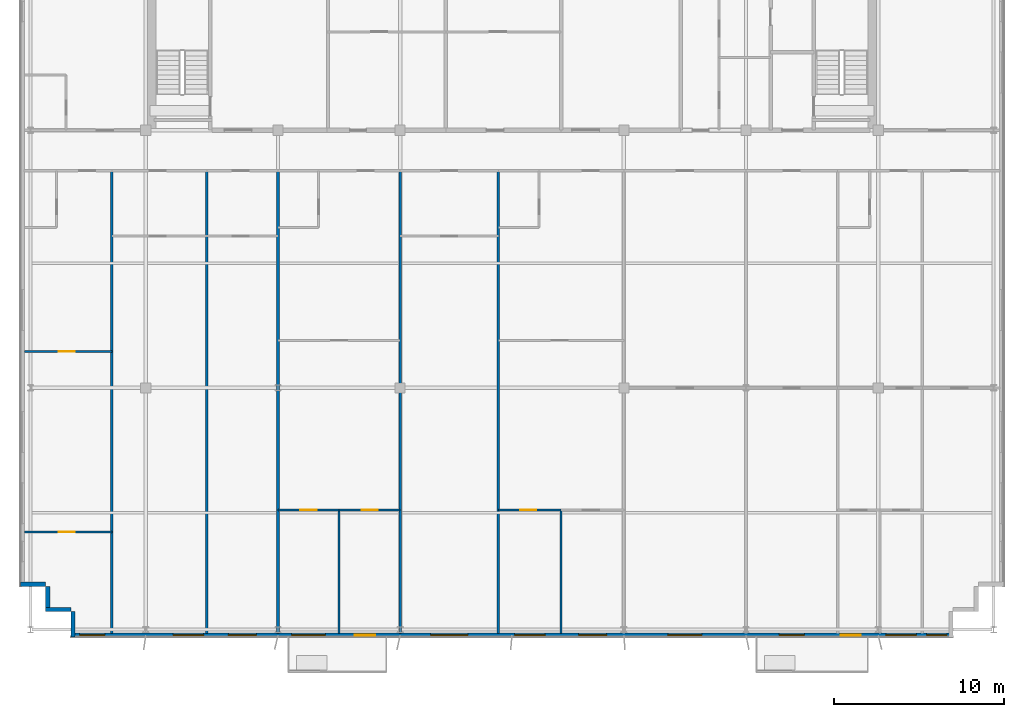
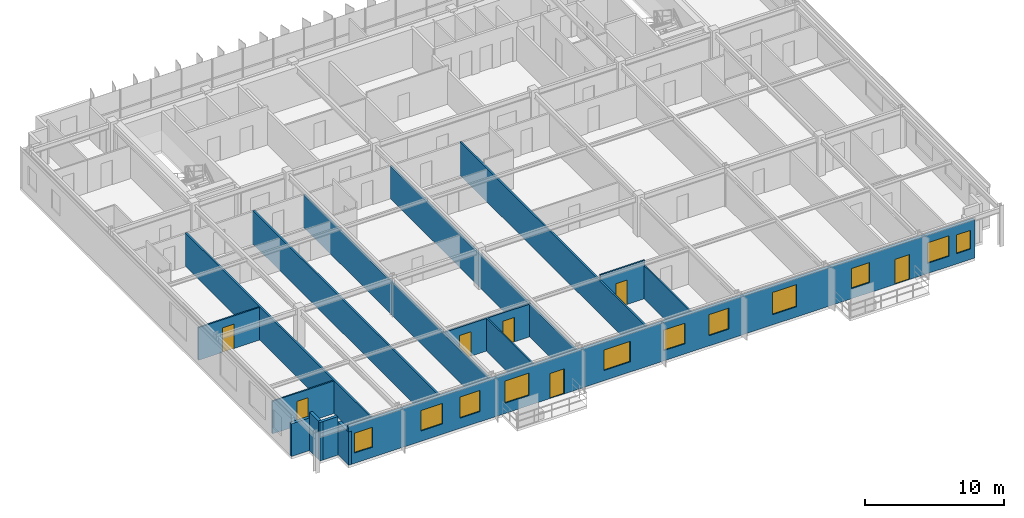
# One storey, part 16 of 23: 17 walls, 11 windows, 7 doors, 18 openings.
"""IFC4 building model written with IfcOpenShell, lengths in metres."""

from ifc_helpers import new_model, si_unit, direction, frame, frame_2d, origin, place, context, subcontext, project, spatial, rectangle, extrude, source, transform, mapped, material, layer, layer_set, type_object, element, fill, save


model = new_model("IFC4")

# Units and contexts
model_context = context("Model", 3, precision=1e-05, world=origin(), true_north=direction((0.0, 1.0)))
body_context = subcontext(model_context, "Body", "Model", "MODEL_VIEW")
ifc_project = project(units=[si_unit("LENGTHUNIT", "METRE"), si_unit("AREAUNIT", "SQUARE_METRE"), si_unit("VOLUMEUNIT", "CUBIC_METRE"), si_unit("PLANEANGLEUNIT", "RADIAN"), si_unit("MASSUNIT", "GRAM", prefix="KILO")], contexts=[model_context])

# Site, building, storey
site_placement = place(None, origin())
site = spatial("IfcSite", under=ifc_project, at=site_placement, CompositionType="ELEMENT")
building_placement = place(site_placement, origin())
building = spatial("IfcBuilding", under=site, at=building_placement, Name="Trelvane Seafront Commons", CompositionType="ELEMENT")
storey_placement = place(building_placement, frame((0.0, 0.0, 266.699951171875)))
storey = spatial("IfcBuildingStorey", under=building, at=storey_placement, Name="L69", CompositionType="ELEMENT", Elevation=266.699951171875)

# Walls
ifc_material_1 = material(Name="Precast concrete C40/50", Category="concrete")
ifc_layer_1 = layer(ifc_material_1, 0.239990234375, Name="ARCH-WALL-EXT240")
ifc_layer_set_1 = layer_set([ifc_layer_1], Name="Precast concrete C40/50")
wall_type_1 = type_object("IfcWallType", Name="ARCH-WALL-EXT240", PredefinedType="SOLIDWALL", material=ifc_layer_set_1)
for number, where, z_axis, x_axis, name in (
    (1, (11.199951171875, 5.1201171875, 0.0), (0.0, 0.0, 1.0), (-1.0, 0.0, 0.0), "EW-L69-01384"),
    (2, (9.820068359375, 5.0, 0.0), (0.0, 0.0, 1.0), (0.0, 1.0, 0.0), "EW-L69-01385"),
):
    element("IfcWall", number, at=place(storey_placement, frame(where, z_axis=z_axis, x_axis=x_axis)), inside=storey, type_object=wall_type_1, Name=name, PredefinedType="SOLIDWALL", context=body_context, shape_type="SweptSolid", body=[
        extrude(rectangle(XDim=1.5, YDim=0.239990234375, at=frame_2d((0.75, 0.0))), origin(), (0.0, 0.0, 1.0), 3.3701171875),
    ])
wall_1_placement = place(storey_placement, frame((9.699951171875, 6.6201171875, 0.0), z_axis=(0.0, 0.0, 1.0), x_axis=(-1.0, 0.0, 0.0)))
element("IfcWall", 3, at=wall_1_placement, inside=storey, type_object=wall_type_1, Name="EW-L69-01386", PredefinedType="SOLIDWALL", context=body_context, shape_type="SweptSolid", body=[
    extrude(rectangle(XDim=1.5, YDim=0.239990234375, at=frame_2d((0.75, 0.0))), origin(), (0.0, 0.0, 1.0), 2.8701171875),
])

# Wall, openings, windows, doors
wall_2_placement = place(storey_placement, frame((63.199951171875, 3.6201171875, 0.0), z_axis=(0.0, 0.0, 1.0), x_axis=(-1.0, 0.0, 0.0)))
wall_2 = element("IfcWall", 4, at=wall_2_placement, inside=storey, type_object=wall_type_1, Name="EW-L69-01401", PredefinedType="SOLIDWALL", context=body_context, shape_type="SweptSolid", body=[
    extrude(rectangle(XDim=52.0, YDim=0.239990234375, at=frame_2d((26.0, 0.0))), origin(), (0.0, 0.0, 1.0), 3.3701171875),
])
opening_1_placement = place(wall_2_placement, frame((0.344970703125, 0.0, 0.89990234375)))
opening_1 = element("IfcOpeningElement", 5, at=opening_1_placement, cuts=wall_2, Name="Opening W05", PredefinedType="OPENING", context=body_context, shape_type="SweptSolid", body=[
    extrude(rectangle(XDim=1.199951171875, YDim=1.64990234375, at=frame_2d((0.60009765625, 0.824951171875))), frame((0.0, 0.1298828125, 0.0), z_axis=(0.0, -1.0, 0.0), x_axis=(1.0, 0.0, 0.0)), (0.0, 0.0, 1.0), 0.260009765625),
])
opening_2_placement = place(wall_2_placement, frame((2.14990234375, 0.0, 0.89990234375)))
opening_2 = element("IfcOpeningElement", 6, at=opening_2_placement, cuts=wall_2, Name="Opening W01", PredefinedType="OPENING", context=body_context, shape_type="SweptSolid", body=[
    extrude(rectangle(XDim=1.800048828125, YDim=1.800048828125, at=frame_2d((0.89990234375, 0.89990234375))), frame((0.0, 0.1298828125, 0.0), z_axis=(0.0, -1.0, 0.0), x_axis=(1.0, 0.0, 0.0)), (0.0, 0.0, 1.0), 0.260009765625),
])
opening_3_placement = place(wall_2_placement, frame((5.419921875, 0.0, 0.0)))
opening_3 = element("IfcOpeningElement", 7, at=opening_3_placement, cuts=wall_2, Name="Opening BD-L69-140", PredefinedType="OPENING", context=body_context, shape_type="SweptSolid", body=[
    extrude(rectangle(XDim=1.199951171875, YDim=2.199951171875, at=frame_2d((0.60009765625, 1.10009765625))), frame((0.0, 0.1298828125, 0.0), z_axis=(0.0, -1.0, 0.0), x_axis=(1.0, 0.0, 0.0)), (0.0, 0.0, 1.0), 0.260009765625),
])
opening_4_placement = place(wall_2_placement, frame((8.75, 0.0, 0.89990234375)))
opening_4 = element("IfcOpeningElement", 8, at=opening_4_placement, cuts=wall_2, Name="Opening W03", PredefinedType="OPENING", context=body_context, shape_type="SweptSolid", body=[
    extrude(rectangle(XDim=1.5, YDim=1.75, at=frame_2d((0.75, 0.875))), frame((0.0, 0.1298828125, 0.0), z_axis=(0.0, -1.0, 0.0), x_axis=(1.0, 0.0, 0.0)), (0.0, 0.0, 1.0), 0.260009765625),
])
opening_5_placement = place(wall_2_placement, frame((14.800048828125, 0.0, 0.89990234375)))
opening_5 = element("IfcOpeningElement", 9, at=opening_5_placement, cuts=wall_2, Name="Opening W06", PredefinedType="OPENING", context=body_context, shape_type="SweptSolid", body=[
    extrude(rectangle(XDim=2.0, YDim=1.949951171875, at=frame_2d((1.0, 0.97509765625))), frame((0.0, 0.1298828125, 0.0), z_axis=(0.0, -1.0, 0.0), x_axis=(1.0, 0.0, 0.0)), (0.0, 0.0, 1.0), 0.260009765625),
])
opening_6_placement = place(wall_2_placement, frame((20.425048828125, 0.0, 0.89990234375)))
opening_6 = element("IfcOpeningElement", 10, at=opening_6_placement, cuts=wall_2, Name="Opening W07", PredefinedType="OPENING", context=body_context, shape_type="SweptSolid", body=[
    extrude(rectangle(XDim=1.64990234375, YDim=1.85009765625, at=frame_2d((0.824951171875, 0.925048828125))), frame((0.0, 0.1298828125, 0.0), z_axis=(0.0, -1.0, 0.0), x_axis=(1.0, 0.0, 0.0)), (0.0, 0.0, 1.0), 0.260009765625),
])
opening_7_placement = place(wall_2_placement, frame((24.050048828125, 0.0, 0.89990234375)))
opening_7 = element("IfcOpeningElement", 11, at=opening_7_placement, cuts=wall_2, Name="Opening W01", PredefinedType="OPENING", context=body_context, shape_type="SweptSolid", body=[
    extrude(rectangle(XDim=1.800048828125, YDim=1.800048828125, at=frame_2d((0.89990234375, 0.89990234375))), frame((0.0, 0.1298828125, 0.0), z_axis=(0.0, -1.0, 0.0), x_axis=(1.0, 0.0, 0.0)), (0.0, 0.0, 1.0), 0.260009765625),
])
opening_8_placement = place(wall_2_placement, frame((28.60009765625, 0.0, 0.89990234375)))
opening_8 = element("IfcOpeningElement", 12, at=opening_8_placement, cuts=wall_2, Name="Opening W02", PredefinedType="OPENING", context=body_context, shape_type="SweptSolid", body=[
    extrude(rectangle(XDim=2.199951171875, YDim=1.800048828125, at=frame_2d((1.10009765625, 0.89990234375))), frame((0.0, 0.1298828125, 0.0), z_axis=(0.0, -1.0, 0.0), x_axis=(1.0, 0.0, 0.0)), (0.0, 0.0, 1.0), 0.260009765625),
])
opening_9_placement = place(wall_2_placement, frame((34.077880859375, 0.0, 0.0)))
opening_9 = element("IfcOpeningElement", 13, at=opening_9_placement, cuts=wall_2, Name="Opening BD-L69-141", PredefinedType="OPENING", context=body_context, shape_type="SweptSolid", body=[
    extrude(rectangle(XDim=1.199951171875, YDim=2.199951171875, at=frame_2d((0.60009765625, 1.10009765625))), frame((0.0, 0.1298828125, 0.0), z_axis=(0.0, -1.0, 0.0), x_axis=(1.0, 0.0, 0.0)), (0.0, 0.0, 1.0), 0.260009765625),
])
opening_10_placement = place(wall_2_placement, frame((37.0, 0.0, 0.89990234375)))
opening_10 = element("IfcOpeningElement", 14, at=opening_10_placement, cuts=wall_2, Name="Opening W06", PredefinedType="OPENING", context=body_context, shape_type="SweptSolid", body=[
    extrude(rectangle(XDim=2.0, YDim=1.949951171875, at=frame_2d((1.0, 0.97509765625))), frame((0.0, 0.1298828125, 0.0), z_axis=(0.0, -1.0, 0.0), x_axis=(1.0, 0.0, 0.0)), (0.0, 0.0, 1.0), 0.260009765625),
])
opening_11_placement = place(wall_2_placement, frame((41.074951171875, 0.0, 0.89990234375)))
opening_11 = element("IfcOpeningElement", 15, at=opening_11_placement, cuts=wall_2, Name="Opening W07", PredefinedType="OPENING", context=body_context, shape_type="SweptSolid", body=[
    extrude(rectangle(XDim=1.64990234375, YDim=1.85009765625, at=frame_2d((0.824951171875, 0.925048828125))), frame((0.0, 0.1298828125, 0.0), z_axis=(0.0, -1.0, 0.0), x_axis=(1.0, 0.0, 0.0)), (0.0, 0.0, 1.0), 0.260009765625),
])
opening_12_placement = place(wall_2_placement, frame((44.18994140625, 0.0, 0.89990234375)))
opening_12 = element("IfcOpeningElement", 16, at=opening_12_placement, cuts=wall_2, Name="Opening W01", PredefinedType="OPENING", context=body_context, shape_type="SweptSolid", body=[
    extrude(rectangle(XDim=1.800048828125, YDim=1.800048828125, at=frame_2d((0.89990234375, 0.89990234375))), frame((0.0, 0.1298828125, 0.0), z_axis=(0.0, -1.0, 0.0), x_axis=(1.0, 0.0, 0.0)), (0.0, 0.0, 1.0), 0.260009765625),
])
opening_13_placement = place(wall_2_placement, frame((50.0048828125, 0.0, 0.89990234375)))
opening_13 = element("IfcOpeningElement", 17, at=opening_13_placement, cuts=wall_2, Name="Opening W03", PredefinedType="OPENING", context=body_context, shape_type="SweptSolid", body=[
    extrude(rectangle(XDim=1.5, YDim=1.75, at=frame_2d((0.75, 0.875))), frame((0.0, 0.1298828125, 0.0), z_axis=(0.0, -1.0, 0.0), x_axis=(1.0, 0.0, 0.0)), (0.0, 0.0, 1.0), 0.260009765625),
])
ifc_material_2 = material(Name="Low-E coastal double glazing", Category="glass")
window_type_1 = type_object("IfcWindowType", Name="ARCH-WIN-W05", PartitioningType="SINGLE_PANEL", PredefinedType="WINDOW", material=ifc_material_2)
shared_shape_1 = source(origin(), body_context, "Body", "SweptSolid", [
    extrude(rectangle(XDim=1.199951171875, YDim=1.64990234375, at=frame_2d((0.60009765625, 0.824951171875))), frame((0.0, 0.030029296875, 0.0), z_axis=(0.0, -1.0, 0.0), x_axis=(1.0, 0.0, 0.0)), (0.0, 0.0, 1.0), 0.06005859375),
])
window_1_placement = place(opening_1_placement, origin())
window_1 = element("IfcWindow", 18, at=window_1_placement, inside=storey, type_object=window_type_1, Name="WIN-L69-01661", OverallHeight=1.64990234375, OverallWidth=1.199951171875, PartitioningType="SINGLE_PANEL", PredefinedType="WINDOW", context=body_context, shape_type="MappedRepresentation", body=[
    mapped(shared_shape_1, transform((0.0, 0.0, 0.0), x_axis=(1.0, 0.0, 0.0), y_axis=(0.0, 1.0, 0.0), z_axis=(0.0, 0.0, 1.0), scale=1.0)),
])
fill(opening_1, window_1)
ifc_material_3 = material(Name="Powder-coated aluminium frame", Category="aluminium")
door_type_1 = type_object("IfcDoorType", Name="ARCH-DR-BAL1200", OperationType="NOTDEFINED", PredefinedType="DOOR", material=ifc_material_3)
shared_shape_2 = source(origin(), body_context, "Body", "SweptSolid", [
    extrude(rectangle(XDim=1.199951171875, YDim=2.199951171875, at=frame_2d((0.60009765625, 1.10009765625))), frame((0.0, 0.02490234375, 0.0), z_axis=(0.0, -1.0, 0.0), x_axis=(1.0, 0.0, 0.0)), (0.0, 0.0, 1.0), 0.050048828125),
])
door_1_placement = place(opening_3_placement, origin())
door_1 = element("IfcDoor", 19, at=door_1_placement, inside=storey, type_object=door_type_1, Name="L69 Balcony Terrace Access Door", OperationType="SINGLE_SWING_LEFT", OverallHeight=2.199951171875, OverallWidth=1.199951171875, PredefinedType="DOOR", context=body_context, shape_type="MappedRepresentation", body=[
    mapped(shared_shape_2, transform((0.0, 0.0, 0.0), x_axis=(1.0, 0.0, 0.0), y_axis=(0.0, 1.0, 0.0), z_axis=(0.0, 0.0, 1.0), scale=1.0)),
])
fill(opening_3, door_1)
door_2_placement = place(opening_9_placement, origin())
door_2 = element("IfcDoor", 20, at=door_2_placement, inside=storey, type_object=door_type_1, Name="L69 Balcony Terrace Access Door", OperationType="SINGLE_SWING_LEFT", OverallHeight=2.199951171875, OverallWidth=1.199951171875, PredefinedType="DOOR", context=body_context, shape_type="MappedRepresentation", body=[
    mapped(shared_shape_2, transform((0.0, 0.0, 0.0), x_axis=(1.0, 0.0, 0.0), y_axis=(0.0, 1.0, 0.0), z_axis=(0.0, 0.0, 1.0), scale=1.0)),
])
fill(opening_9, door_2)
window_type_2 = type_object("IfcWindowType", Name="ARCH-WIN-W02", PartitioningType="SINGLE_PANEL", PredefinedType="WINDOW", material=ifc_material_2)
shared_shape_3 = source(origin(), body_context, "Body", "SweptSolid", [
    extrude(rectangle(XDim=2.199951171875, YDim=1.800048828125, at=frame_2d((1.10009765625, 0.89990234375))), frame((0.0, 0.030029296875, 0.0), z_axis=(0.0, -1.0, 0.0), x_axis=(1.0, 0.0, 0.0)), (0.0, 0.0, 1.0), 0.06005859375),
])
window_2_placement = place(opening_8_placement, origin())
window_2 = element("IfcWindow", 21, at=window_2_placement, inside=storey, type_object=window_type_2, Name="WIN-L69-01667", OverallHeight=1.800048828125, OverallWidth=2.199951171875, PartitioningType="SINGLE_PANEL", PredefinedType="WINDOW", context=body_context, shape_type="MappedRepresentation", body=[
    mapped(shared_shape_3, transform((0.0, 0.0, 0.0), x_axis=(1.0, 0.0, 0.0), y_axis=(0.0, 1.0, 0.0), z_axis=(0.0, 0.0, 1.0), scale=1.0)),
])
fill(opening_8, window_2)
window_type_3 = type_object("IfcWindowType", Name="ARCH-WIN-W03", PartitioningType="SINGLE_PANEL", PredefinedType="WINDOW", material=ifc_material_2)
shared_shape_4 = source(origin(), body_context, "Body", "SweptSolid", [
    extrude(rectangle(XDim=1.5, YDim=1.75, at=frame_2d((0.75, 0.875))), frame((0.0, 0.030029296875, 0.0), z_axis=(0.0, -1.0, 0.0), x_axis=(1.0, 0.0, 0.0)), (0.0, 0.0, 1.0), 0.06005859375),
])
window_3_placement = place(opening_4_placement, origin())
window_3 = element("IfcWindow", 22, at=window_3_placement, inside=storey, type_object=window_type_3, Name="WIN-L69-01663", OverallHeight=1.75, OverallWidth=1.5, PartitioningType="SINGLE_PANEL", PredefinedType="WINDOW", context=body_context, shape_type="MappedRepresentation", body=[
    mapped(shared_shape_4, transform((0.0, 0.0, 0.0), x_axis=(1.0, 0.0, 0.0), y_axis=(0.0, 1.0, 0.0), z_axis=(0.0, 0.0, 1.0), scale=1.0)),
])
fill(opening_4, window_3)
window_4_placement = place(opening_13_placement, origin())
window_4 = element("IfcWindow", 23, at=window_4_placement, inside=storey, type_object=window_type_3, Name="WIN-L69-01671", OverallHeight=1.75, OverallWidth=1.5, PartitioningType="SINGLE_PANEL", PredefinedType="WINDOW", context=body_context, shape_type="MappedRepresentation", body=[
    mapped(shared_shape_4, transform((0.0, 0.0, 0.0), x_axis=(1.0, 0.0, 0.0), y_axis=(0.0, 1.0, 0.0), z_axis=(0.0, 0.0, 1.0), scale=1.0)),
])
fill(opening_13, window_4)
window_type_4 = type_object("IfcWindowType", Name="ARCH-WIN-W06", PartitioningType="SINGLE_PANEL", PredefinedType="WINDOW", material=ifc_material_2)
shared_shape_5 = source(origin(), body_context, "Body", "SweptSolid", [
    extrude(rectangle(XDim=2.0, YDim=1.949951171875, at=frame_2d((1.0, 0.97509765625))), frame((0.0, 0.030029296875, 0.0), z_axis=(0.0, -1.0, 0.0), x_axis=(1.0, 0.0, 0.0)), (0.0, 0.0, 1.0), 0.06005859375),
])
window_5_placement = place(opening_5_placement, origin())
window_5 = element("IfcWindow", 24, at=window_5_placement, inside=storey, type_object=window_type_4, Name="WIN-L69-01664", OverallHeight=1.949951171875, OverallWidth=2.0, PartitioningType="SINGLE_PANEL", PredefinedType="WINDOW", context=body_context, shape_type="MappedRepresentation", body=[
    mapped(shared_shape_5, transform((0.0, 0.0, 0.0), x_axis=(1.0, 0.0, 0.0), y_axis=(0.0, 1.0, 0.0), z_axis=(0.0, 0.0, 1.0), scale=1.0)),
])
fill(opening_5, window_5)
window_6_placement = place(opening_10_placement, origin())
window_6 = element("IfcWindow", 25, at=window_6_placement, inside=storey, type_object=window_type_4, Name="WIN-L69-01668", OverallHeight=1.949951171875, OverallWidth=2.0, PartitioningType="SINGLE_PANEL", PredefinedType="WINDOW", context=body_context, shape_type="MappedRepresentation", body=[
    mapped(shared_shape_5, transform((0.0, 0.0, 0.0), x_axis=(1.0, 0.0, 0.0), y_axis=(0.0, 1.0, 0.0), z_axis=(0.0, 0.0, 1.0), scale=1.0)),
])
fill(opening_10, window_6)
window_type_5 = type_object("IfcWindowType", Name="ARCH-WIN-W01", PartitioningType="SINGLE_PANEL", PredefinedType="WINDOW", material=ifc_material_2)
shared_shape_6 = source(origin(), body_context, "Body", "SweptSolid", [
    extrude(rectangle(XDim=1.800048828125, YDim=1.800048828125, at=frame_2d((0.89990234375, 0.89990234375))), frame((0.0, 0.030029296875, 0.0), z_axis=(0.0, -1.0, 0.0), x_axis=(1.0, 0.0, 0.0)), (0.0, 0.0, 1.0), 0.06005859375),
])
window_7_placement = place(opening_2_placement, origin())
window_7 = element("IfcWindow", 26, at=window_7_placement, inside=storey, type_object=window_type_5, Name="WIN-L69-01662", OverallHeight=1.800048828125, OverallWidth=1.800048828125, PartitioningType="SINGLE_PANEL", PredefinedType="WINDOW", context=body_context, shape_type="MappedRepresentation", body=[
    mapped(shared_shape_6, transform((0.0, 0.0, 0.0), x_axis=(1.0, 0.0, 0.0), y_axis=(0.0, 1.0, 0.0), z_axis=(0.0, 0.0, 1.0), scale=1.0)),
])
fill(opening_2, window_7)
window_8_placement = place(opening_7_placement, origin())
window_8 = element("IfcWindow", 27, at=window_8_placement, inside=storey, type_object=window_type_5, Name="WIN-L69-01666", OverallHeight=1.800048828125, OverallWidth=1.800048828125, PartitioningType="SINGLE_PANEL", PredefinedType="WINDOW", context=body_context, shape_type="MappedRepresentation", body=[
    mapped(shared_shape_6, transform((0.0, 0.0, 0.0), x_axis=(1.0, 0.0, 0.0), y_axis=(0.0, 1.0, 0.0), z_axis=(0.0, 0.0, 1.0), scale=1.0)),
])
fill(opening_7, window_8)
window_9_placement = place(opening_12_placement, origin())
window_9 = element("IfcWindow", 28, at=window_9_placement, inside=storey, type_object=window_type_5, Name="WIN-L69-01670", OverallHeight=1.800048828125, OverallWidth=1.800048828125, PartitioningType="SINGLE_PANEL", PredefinedType="WINDOW", context=body_context, shape_type="MappedRepresentation", body=[
    mapped(shared_shape_6, transform((0.0, 0.0, 0.0), x_axis=(1.0, 0.0, 0.0), y_axis=(0.0, 1.0, 0.0), z_axis=(0.0, 0.0, 1.0), scale=1.0)),
])
fill(opening_12, window_9)
window_type_6 = type_object("IfcWindowType", Name="ARCH-WIN-W07", PartitioningType="SINGLE_PANEL", PredefinedType="WINDOW", material=ifc_material_2)
shared_shape_7 = source(origin(), body_context, "Body", "SweptSolid", [
    extrude(rectangle(XDim=1.64990234375, YDim=1.85009765625, at=frame_2d((0.824951171875, 0.925048828125))), frame((0.0, 0.030029296875, 0.0), z_axis=(0.0, -1.0, 0.0), x_axis=(1.0, 0.0, 0.0)), (0.0, 0.0, 1.0), 0.06005859375),
])
window_10_placement = place(opening_6_placement, origin())
window_10 = element("IfcWindow", 29, at=window_10_placement, inside=storey, type_object=window_type_6, Name="WIN-L69-01665", OverallHeight=1.85009765625, OverallWidth=1.64990234375, PartitioningType="SINGLE_PANEL", PredefinedType="WINDOW", context=body_context, shape_type="MappedRepresentation", body=[
    mapped(shared_shape_7, transform((0.0, 0.0, 0.0), x_axis=(1.0, 0.0, 0.0), y_axis=(0.0, 1.0, 0.0), z_axis=(0.0, 0.0, 1.0), scale=1.0)),
])
fill(opening_6, window_10)
window_11_placement = place(opening_11_placement, origin())
window_11 = element("IfcWindow", 30, at=window_11_placement, inside=storey, type_object=window_type_6, Name="WIN-L69-01669", OverallHeight=1.85009765625, OverallWidth=1.64990234375, PartitioningType="SINGLE_PANEL", PredefinedType="WINDOW", context=body_context, shape_type="MappedRepresentation", body=[
    mapped(shared_shape_7, transform((0.0, 0.0, 0.0), x_axis=(1.0, 0.0, 0.0), y_axis=(0.0, 1.0, 0.0), z_axis=(0.0, 0.0, 1.0), scale=1.0)),
])
fill(opening_11, window_11)

# Wall
wall_3_placement = place(storey_placement, frame((11.320068359375, 3.5, 0.0), z_axis=(0.0, 0.0, 1.0), x_axis=(0.0, 1.0, 0.0)))
element("IfcWall", 31, at=wall_3_placement, inside=storey, type_object=wall_type_1, Name="EW-L69-01402", PredefinedType="SOLIDWALL", context=body_context, shape_type="SweptSolid", body=[
    extrude(rectangle(XDim=1.5, YDim=0.239990234375, at=frame_2d((0.75, 0.0))), origin(), (0.0, 0.0, 1.0), 2.920166015625),
])

# Wall, opening, door
ifc_material_4 = material(Name="Gypsum Drywall Acoustic Partition")
ifc_layer_2 = layer(ifc_material_4, 0.1201171875, Name="ARCH-WALL-PART120")
ifc_layer_set_2 = layer_set([ifc_layer_2], Name="Gypsum Drywall Acoustic Partition")
wall_type_2 = type_object("IfcWallType", Name="ARCH-WALL-PART120", PredefinedType="PARTITIONING", material=ifc_layer_set_2)
wall_4_placement = place(storey_placement, frame((8.43994140625, 20.35009765625, 0.0), z_axis=(0.0, 0.0, 1.0), x_axis=(1.0, 0.0, 0.0)))
wall_4 = element("IfcWall", 32, at=wall_4_placement, inside=storey, type_object=wall_type_2, Name="W-L69-U1-KL-054", PredefinedType="PARTITIONING", context=body_context, shape_type="SweptSolid", body=[
    extrude(rectangle(XDim=5.16015625, YDim=0.1201171875, at=frame_2d((2.580078125, 0.0))), origin(), (0.0, 0.0, 1.0), 2.8701171875),
])
opening_14_placement = place(wall_4_placement, frame((2.013916015625, 0.0, 0.0)))
opening_14 = element("IfcOpeningElement", 33, at=opening_14_placement, cuts=wall_4, Name="Opening D-L69-30", PredefinedType="OPENING", context=body_context, shape_type="SweptSolid", body=[
    extrude(rectangle(XDim=0.949951171875, YDim=2.14990234375, at=frame_2d((0.47509765625, 1.074951171875))), frame((0.0, 0.070068359375, 0.0), z_axis=(0.0, -1.0, 0.0), x_axis=(1.0, 0.0, 0.0)), (0.0, 0.0, 1.0), 0.14013671875),
])
ifc_material_5 = material(Name="Acoustic timber door leaf", Category="wood")
door_type_2 = type_object("IfcDoorType", Name="ARCH-DR-INT950", OperationType="NOTDEFINED", PredefinedType="DOOR", material=ifc_material_5)
shared_shape_8 = source(origin(), body_context, "Body", "SweptSolid", [
    extrude(rectangle(XDim=0.949951171875, YDim=2.14990234375, at=frame_2d((0.47509765625, 1.074951171875))), frame((0.0, 0.02490234375, 0.0), z_axis=(0.0, -1.0, 0.0), x_axis=(1.0, 0.0, 0.0)), (0.0, 0.0, 1.0), 0.050048828125),
])
door_3_placement = place(opening_14_placement, origin())
door_3 = element("IfcDoor", 34, at=door_3_placement, inside=storey, type_object=door_type_2, Name="L69 Door 30", OperationType="SINGLE_SWING_RIGHT", OverallHeight=2.14990234375, OverallWidth=0.949951171875, PredefinedType="DOOR", context=body_context, shape_type="MappedRepresentation", body=[
    mapped(shared_shape_8, transform((0.0, 0.0, 0.0), x_axis=(1.0, 0.0, 0.0), y_axis=(0.0, 1.0, 0.0), z_axis=(0.0, 0.0, 1.0), scale=1.0)),
])
fill(opening_14, door_3)

wall_5_placement = place(storey_placement, frame((8.43994140625, 9.699951171875, 0.0), z_axis=(0.0, 0.0, 1.0), x_axis=(1.0, 0.0, 0.0)))
wall_5 = element("IfcWall", 35, at=wall_5_placement, inside=storey, type_object=wall_type_2, Name="W-L69-U1-YM-1-058", PredefinedType="PARTITIONING", context=body_context, shape_type="SweptSolid", body=[
    extrude(rectangle(XDim=5.16015625, YDim=0.1201171875, at=frame_2d((2.580078125, 0.0))), origin(), (0.0, 0.0, 1.0), 2.8701171875),
])
opening_15_placement = place(wall_5_placement, frame((2.013916015625, 0.0, 0.0)))
opening_15 = element("IfcOpeningElement", 36, at=opening_15_placement, cuts=wall_5, Name="Opening D-L69-33", PredefinedType="OPENING", context=body_context, shape_type="SweptSolid", body=[
    extrude(rectangle(XDim=0.949951171875, YDim=2.14990234375, at=frame_2d((0.47509765625, 1.074951171875))), frame((0.0, 0.070068359375, 0.0), z_axis=(0.0, -1.0, 0.0), x_axis=(1.0, 0.0, 0.0)), (0.0, 0.0, 1.0), 0.14013671875),
])
door_4_placement = place(opening_15_placement, origin())
door_4 = element("IfcDoor", 37, at=door_4_placement, inside=storey, type_object=door_type_2, Name="L69 Door 33", OperationType="SINGLE_SWING_LEFT", OverallHeight=2.14990234375, OverallWidth=0.949951171875, PredefinedType="DOOR", context=body_context, shape_type="MappedRepresentation", body=[
    mapped(shared_shape_8, transform((0.0, 0.0, 0.0), x_axis=(1.0, 0.0, 0.0), y_axis=(0.0, 1.0, 0.0), z_axis=(0.0, 0.0, 1.0), scale=1.0)),
])
fill(opening_15, door_4)

wall_6_placement = place(storey_placement, frame((23.39990234375, 11.0, 0.0), z_axis=(0.0, 0.0, 1.0), x_axis=(1.0, 0.0, 0.0)))
wall_6 = element("IfcWall", 38, at=wall_6_placement, inside=storey, type_object=wall_type_2, Name="W-L69-U4-YM-1-067", PredefinedType="PARTITIONING", context=body_context, shape_type="SweptSolid", body=[
    extrude(rectangle(XDim=3.60009765625, YDim=0.1201171875, at=frame_2d((1.800048828125, 0.0))), origin(), (0.0, 0.0, 1.0), 2.8701171875),
])
opening_16_placement = place(wall_6_placement, frame((1.324951171875, 0.0, 0.0)))
opening_16 = element("IfcOpeningElement", 39, at=opening_16_placement, cuts=wall_6, Name="Opening D-L69-41", PredefinedType="OPENING", context=body_context, shape_type="SweptSolid", body=[
    extrude(rectangle(XDim=0.949951171875, YDim=2.14990234375, at=frame_2d((0.47509765625, 1.074951171875))), frame((0.0, 0.070068359375, 0.0), z_axis=(0.0, -1.0, 0.0), x_axis=(1.0, 0.0, 0.0)), (0.0, 0.0, 1.0), 0.14013671875),
])
door_5_placement = place(opening_16_placement, origin())
door_5 = element("IfcDoor", 40, at=door_5_placement, inside=storey, type_object=door_type_2, Name="L69 Door 41", OperationType="SINGLE_SWING_LEFT", OverallHeight=2.14990234375, OverallWidth=0.949951171875, PredefinedType="DOOR", context=body_context, shape_type="MappedRepresentation", body=[
    mapped(shared_shape_8, transform((0.0, 0.0, 0.0), x_axis=(1.0, 0.0, 0.0), y_axis=(0.0, 1.0, 0.0), z_axis=(0.0, 0.0, 1.0), scale=1.0)),
])
fill(opening_16, door_5)

wall_7_placement = place(storey_placement, frame((27.0, 11.0, 0.0), z_axis=(0.0, 0.0, 1.0), x_axis=(1.0, 0.0, 0.0)))
wall_7 = element("IfcWall", 41, at=wall_7_placement, inside=storey, type_object=wall_type_2, Name="W-L69-U4-YM-2-068", PredefinedType="PARTITIONING", context=body_context, shape_type="SweptSolid", body=[
    extrude(rectangle(XDim=3.60009765625, YDim=0.1201171875, at=frame_2d((1.800048828125, 0.0))), origin(), (0.0, 0.0, 1.0), 2.8701171875),
])
opening_17_placement = place(wall_7_placement, frame((1.324951171875, 0.0, 0.0)))
opening_17 = element("IfcOpeningElement", 42, at=opening_17_placement, cuts=wall_7, Name="Opening D-L69-42", PredefinedType="OPENING", context=body_context, shape_type="SweptSolid", body=[
    extrude(rectangle(XDim=0.949951171875, YDim=2.14990234375, at=frame_2d((0.47509765625, 1.074951171875))), frame((0.0, 0.070068359375, 0.0), z_axis=(0.0, -1.0, 0.0), x_axis=(1.0, 0.0, 0.0)), (0.0, 0.0, 1.0), 0.14013671875),
])
door_6_placement = place(opening_17_placement, origin())
door_6 = element("IfcDoor", 43, at=door_6_placement, inside=storey, type_object=door_type_2, Name="L69 Door 42", OperationType="SINGLE_SWING_RIGHT", OverallHeight=2.14990234375, OverallWidth=0.949951171875, PredefinedType="DOOR", context=body_context, shape_type="MappedRepresentation", body=[
    mapped(shared_shape_8, transform((0.0, 0.0, 0.0), x_axis=(1.0, 0.0, 0.0), y_axis=(0.0, 1.0, 0.0), z_axis=(0.0, 0.0, 1.0), scale=1.0)),
])
fill(opening_17, door_6)

# Wall
wall_8_placement = place(storey_placement, frame((27.0, 3.72509765625, 0.0), z_axis=(0.0, 0.0, 1.0), x_axis=(0.0, 1.0, 0.0)))
element("IfcWall", 44, at=wall_8_placement, inside=storey, type_object=wall_type_2, Name="W-L69-U4-BDV-1-069", PredefinedType="PARTITIONING", context=body_context, shape_type="SweptSolid", body=[
    extrude(rectangle(XDim=7.27490234375, YDim=0.1201171875, at=frame_2d((3.637451171875, 0.0))), origin(), (0.0, 0.0, 1.0), 2.920166015625),
])

# Wall, opening, door
wall_9_placement = place(storey_placement, frame((36.39990234375, 11.0, 0.0), z_axis=(0.0, 0.0, 1.0), x_axis=(1.0, 0.0, 0.0)))
wall_9 = element("IfcWall", 45, at=wall_9_placement, inside=storey, type_object=wall_type_2, Name="W-L69-U6-YM-1-076", PredefinedType="PARTITIONING", context=body_context, shape_type="SweptSolid", body=[
    extrude(rectangle(XDim=3.7001953125, YDim=0.1201171875, at=frame_2d((1.85009765625, 0.0))), origin(), (0.0, 0.0, 1.0), 3.3701171875),
])
opening_18_placement = place(wall_9_placement, frame((1.284912109375, 0.0, 0.0)))
opening_18 = element("IfcOpeningElement", 46, at=opening_18_placement, cuts=wall_9, Name="Opening D-L69-48", PredefinedType="OPENING", context=body_context, shape_type="SweptSolid", body=[
    extrude(rectangle(XDim=0.949951171875, YDim=2.14990234375, at=frame_2d((0.47509765625, 1.074951171875))), frame((0.0, 0.070068359375, 0.0), z_axis=(0.0, -1.0, 0.0), x_axis=(1.0, 0.0, 0.0)), (0.0, 0.0, 1.0), 0.14013671875),
])
door_7_placement = place(opening_18_placement, origin())
door_7 = element("IfcDoor", 47, at=door_7_placement, inside=storey, type_object=door_type_2, Name="L69 Door 48", OperationType="SINGLE_SWING_RIGHT", OverallHeight=2.14990234375, OverallWidth=0.949951171875, PredefinedType="DOOR", context=body_context, shape_type="MappedRepresentation", body=[
    mapped(shared_shape_8, transform((0.0, 0.0, 0.0), x_axis=(1.0, 0.0, 0.0), y_axis=(0.0, 1.0, 0.0), z_axis=(0.0, 0.0, 1.0), scale=1.0)),
])
fill(opening_18, door_7)

# Walls
wall_10_placement = place(storey_placement, frame((40.10009765625, 3.72509765625, 0.0), z_axis=(0.0, 0.0, 1.0), x_axis=(0.0, 1.0, 0.0)))
element("IfcWall", 48, at=wall_10_placement, inside=storey, type_object=wall_type_2, Name="W-L69-U6-BDV-1-078", PredefinedType="PARTITIONING", context=body_context, shape_type="SweptSolid", body=[
    extrude(rectangle(XDim=7.27490234375, YDim=0.1201171875, at=frame_2d((3.637451171875, 0.0))), origin(), (0.0, 0.0, 1.0), 2.920166015625),
])
ifc_layer_3 = layer(ifc_material_4, 0.14990234375, Name="ARCH-WALL-PART150")
ifc_layer_set_3 = layer_set([ifc_layer_3], Name="Gypsum Drywall Acoustic Partition")
wall_type_3 = type_object("IfcWallType", Name="ARCH-WALL-PART150", PredefinedType="PARTITIONING", material=ifc_layer_set_3)
for number, where, z_axis, x_axis, name in (
    (49, (13.60009765625, 3.72509765625, 0.0), (0.0, 0.0, 1.0), (0.0, 1.0, 0.0), "W-L69-PW-1-045"),
    (50, (19.199951171875, 3.72509765625, 0.0), (0.0, 0.0, 1.0), (0.0, 1.0, 0.0), "W-L69-PW-2-046"),
):
    element("IfcWall", number, at=place(storey_placement, frame(where, z_axis=z_axis, x_axis=x_axis)), inside=storey, type_object=wall_type_3, Name=name, PredefinedType="PARTITIONING", context=body_context, shape_type="SweptSolid", body=[
        extrude(rectangle(XDim=27.27490234375, YDim=0.14990234375, at=frame_2d((13.637451171875, 0.0))), origin(), (0.0, 0.0, 1.0), 2.920166015625),
    ])
for number, where, z_axis, x_axis, name in (
    (51, (23.39990234375, 3.72509765625, 0.0), (0.0, 0.0, 1.0), (0.0, 1.0, 0.0), "W-L69-PW-3-047"),
    (52, (30.60009765625, 3.72509765625, 0.0), (0.0, 0.0, 1.0), (0.0, 1.0, 0.0), "W-L69-PW-4-048"),
):
    element("IfcWall", number, at=place(storey_placement, frame(where, z_axis=z_axis, x_axis=x_axis)), inside=storey, type_object=wall_type_3, Name=name, PredefinedType="PARTITIONING", context=body_context, shape_type="SweptSolid", body=[
        extrude(rectangle(XDim=27.27490234375, YDim=0.14990234375, at=frame_2d((13.637451171875, 0.0))), origin(), (0.0, 0.0, 1.0), 2.8701171875),
    ])
wall_11_placement = place(storey_placement, frame((36.39990234375, 3.72509765625, 0.0), z_axis=(0.0, 0.0, 1.0), x_axis=(0.0, 1.0, 0.0)))
element("IfcWall", 53, at=wall_11_placement, inside=storey, type_object=wall_type_3, Name="W-L69-PW-5-049", PredefinedType="PARTITIONING", context=body_context, shape_type="SweptSolid", body=[
    extrude(rectangle(XDim=27.27490234375, YDim=0.14990234375, at=frame_2d((13.637451171875, 0.0))), origin(), (0.0, 0.0, 1.0), 2.920166015625),
])

save(model, "model.ifc")
